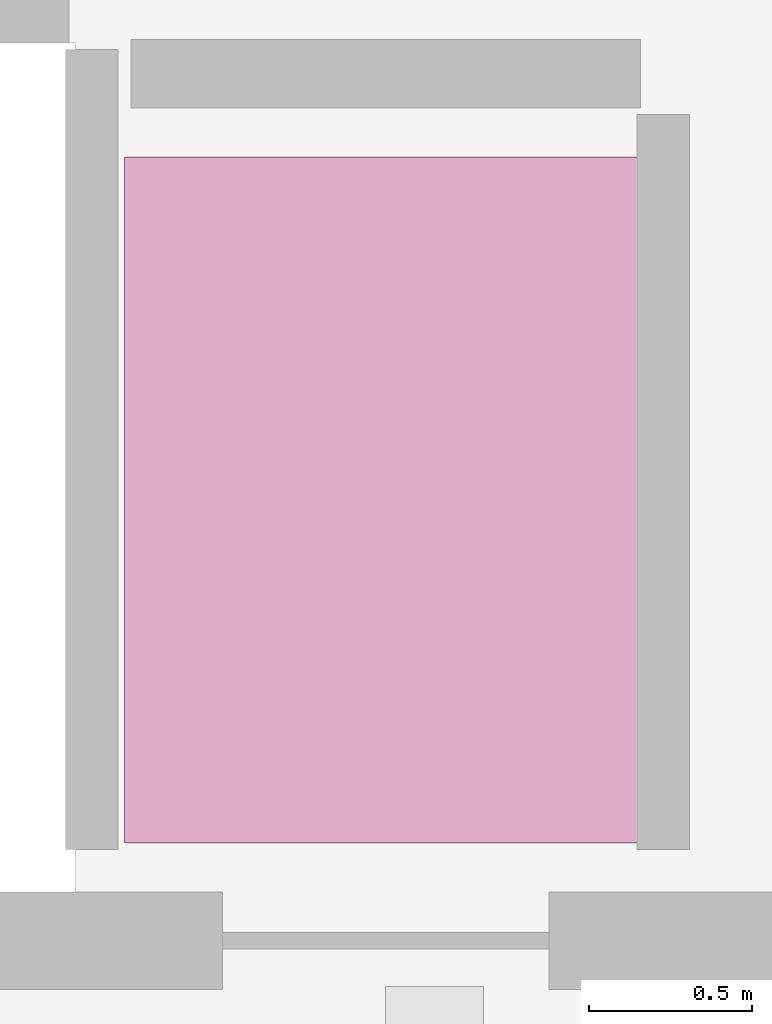
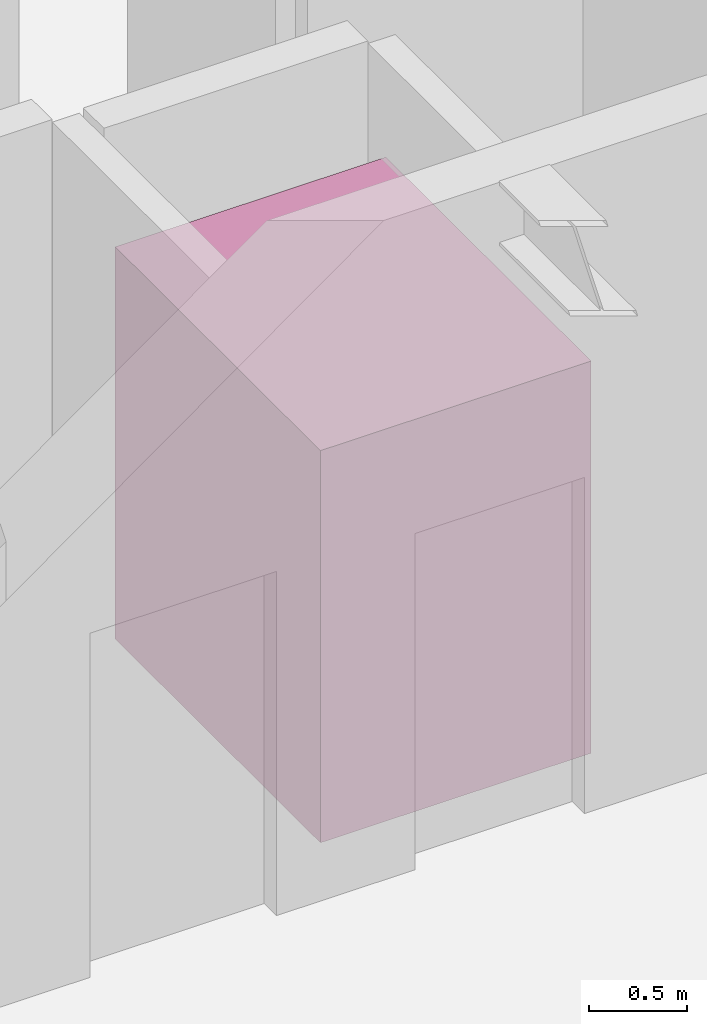
# One storey, part 23 of 23: 1 transport element.
"""IFC4 building model written with IfcOpenShell, lengths in metres."""

from ifc_helpers import new_model, si_unit, direction, frame, origin, origin_2d, place, context, subcontext, project, spatial, rectangle, extrude, material, type_object, element, save


model = new_model("IFC4")

# Units and contexts
model_context = context("Model", 3, precision=1e-05, world=origin(), true_north=direction((0.0, 1.0)))
body_context = subcontext(model_context, "Body", "Model", "MODEL_VIEW")
ifc_project = project(units=[si_unit("LENGTHUNIT", "METRE"), si_unit("AREAUNIT", "SQUARE_METRE"), si_unit("VOLUMEUNIT", "CUBIC_METRE"), si_unit("PLANEANGLEUNIT", "RADIAN"), si_unit("MASSUNIT", "GRAM", prefix="KILO")], contexts=[model_context])

# Site, building, storey
site_placement = place(None, origin())
site = spatial("IfcSite", under=ifc_project, at=site_placement, CompositionType="ELEMENT")
building_placement = place(site_placement, origin())
building = spatial("IfcBuilding", under=site, at=building_placement, Name="Zarrinselat Tower", CompositionType="ELEMENT")
storey_placement = place(building_placement, frame((0.0, 0.0, 199.919921875)))
storey = spatial("IfcBuildingStorey", under=building, at=storey_placement, Name="L49", CompositionType="ELEMENT", Elevation=199.919921875)

# Transport element
ifc_material = material(Name="Steel S355J2", Category="steel")
transport_element_type = type_object("IfcTransportElementType", Name="LFT-CAR-PS1600", PredefinedType="ELEVATOR", material=ifc_material)
transport_element_placement = place(storey_placement, frame((34.85009765625, 34.64990234375, 0.0), z_axis=(0.0, 0.0, 1.0), x_axis=(1.0, 0.0, 0.0)))
element("IfcTransportElement", 1, at=transport_element_placement, inside=storey, type_object=transport_element_type, Name="High-Rise Passenger Lift PL10", PredefinedType="ELEVATOR", context=body_context, shape_type="SweptSolid", body=[
    extrude(rectangle(XDim=1.60009765625, YDim=2.10009765625, at=origin_2d()), origin(), (0.0, 0.0, 1.0), 2.449951171875),
])

save(model, "model.ifc")
